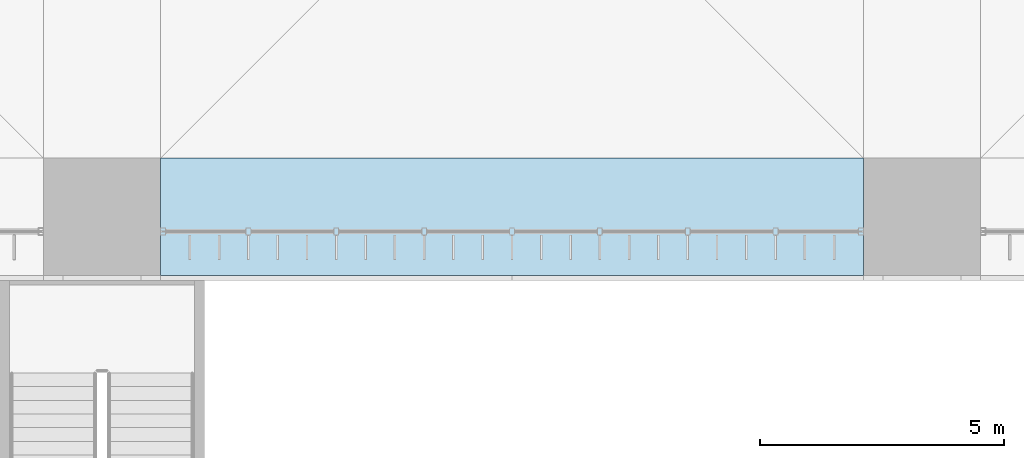
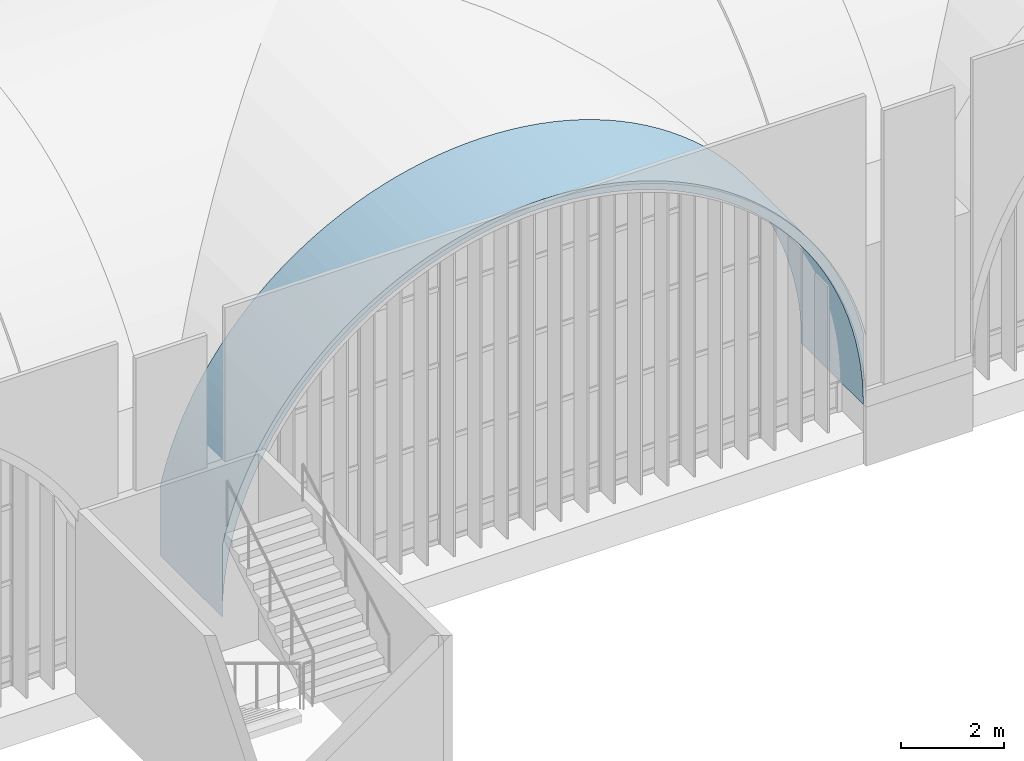
# One storey, part 112 of 169: 1 roof.
"""IFC4 building model written with IfcOpenShell, lengths in metres."""

from ifc_helpers import new_model, si_unit, direction, frame, origin, place, context, subcontext, project, spatial, polygons, material, layer, layer_set, type_object, element, save


model = new_model("IFC4")

# Units and contexts
model_context = context("Model", 3, precision=1e-05, world=origin(), true_north=direction((0.0, 1.0)))
body_context = subcontext(model_context, "Body", "Model", "MODEL_VIEW")
ifc_project = project(units=[si_unit("LENGTHUNIT", "METRE"), si_unit("AREAUNIT", "SQUARE_METRE"), si_unit("VOLUMEUNIT", "CUBIC_METRE"), si_unit("PLANEANGLEUNIT", "RADIAN"), si_unit("MASSUNIT", "GRAM", prefix="KILO")], contexts=[model_context])

# Site, building, storey
site_placement = place(None, origin())
site = spatial("IfcSite", under=ifc_project, at=site_placement, CompositionType="ELEMENT")
building_placement = place(site_placement, origin())
building = spatial("IfcBuilding", under=site, at=building_placement, Name="Verrick Yard Athletic Hall", CompositionType="ELEMENT")
storey_placement = place(building_placement, frame((0.0, 0.0, 4.39990234375)))
storey = spatial("IfcBuildingStorey", under=building, at=storey_placement, Name="L01", CompositionType="ELEMENT", Elevation=4.39990234375)

# Roof
ifc_material = material(Name="Concrete 35 MPa", Category="concrete")
ifc_layer = layer(ifc_material, 0.199951171875)
ifc_layer_set = layer_set([ifc_layer], Name="Arch rib 200")
roof_type = type_object("IfcRoofType", Name="Arch rib 200", PredefinedType="BARREL_ROOF", material=ifc_layer_set)
roof_placement = place(storey_placement, origin())
element("IfcRoof", 1, at=roof_placement, inside=storey, type_object=roof_type, Name="Vault rib S2", PredefinedType="BARREL_ROOF", context=body_context, shape_type="Tessellation", body=[
    polygons([(58.0, 18.0, 2.352294921875), (58.0, 18.0, 0.650146484375), (58.0068359375, 18.0, 0.964111328125), (58.02734375, 18.0, 1.277587890625), (58.0615234375, 18.0, 1.58984375), (58.109375, 18.0, 1.900390625), (58.170654296875, 18.0, 2.20849609375), (58.245361328125, 18.0, 2.513671875), (58.333251953125, 18.0, 2.815185546875), (58.43408203125, 18.0, 3.112548828125), (58.548095703125, 18.0, 3.405517578125), (58.674560546875, 18.0, 3.693115234375), (58.8134765625, 18.0, 3.974609375), (58.964599609375, 18.0, 4.25), (59.127685546875, 18.0, 4.518798828125), (59.302001953125, 18.0, 4.77978515625), (59.48779296875, 18.0, 5.033203125), (59.6845703125, 18.0, 5.278076171875), (59.8916015625, 18.0, 5.514404296875), (60.10888671875, 18.0, 5.7412109375), (60.335693359375, 18.0, 5.95849609375), (60.572021484375, 18.0, 6.16552734375), (60.81689453125, 18.0, 6.3623046875), (61.0703125, 18.0, 6.548095703125), (61.331298828125, 18.0, 6.722412109375), (61.60009765625, 18.0, 6.885498046875), (61.87548828125, 18.0, 7.03662109375), (62.156982421875, 18.0, 7.175537109375), (62.444580078125, 18.0, 7.302001953125), (62.737548828125, 18.0, 7.416015625), (63.034912109375, 18.0, 7.516845703125), (63.33642578125, 18.0, 7.604736328125), (63.6416015625, 18.0, 7.679443359375), (63.94970703125, 18.0, 7.74072265625), (64.26025390625, 18.0, 7.78857421875), (64.572509765625, 18.0, 7.82275390625), (64.885986328125, 18.0, 7.84326171875), (65.199951171875, 18.0, 7.85009765625), (65.51416015625, 18.0, 7.84326171875), (65.827392578125, 18.0, 7.82275390625), (66.139892578125, 18.0, 7.78857421875), (66.4501953125, 18.0, 7.74072265625), (66.75830078125, 18.0, 7.679443359375), (67.0634765625, 18.0, 7.604736328125), (67.364990234375, 18.0, 7.516845703125), (67.66259765625, 18.0, 7.416015625), (67.955322265625, 18.0, 7.302001953125), (68.242919921875, 18.0, 7.175537109375), (68.524658203125, 18.0, 7.03662109375), (68.800048828125, 18.0, 6.885498046875), (69.068603515625, 18.0, 6.722412109375), (69.329833984375, 18.0, 6.548095703125), (69.5830078125, 18.0, 6.3623046875), (69.828125, 18.0, 6.16552734375), (70.064208984375, 18.0, 5.95849609375), (70.291259765625, 18.0, 5.7412109375), (70.50830078125, 18.0, 5.514404296875), (70.715576171875, 18.0, 5.278076171875), (70.912109375, 18.0, 5.033203125), (71.097900390625, 18.0, 4.77978515625), (71.2724609375, 18.0, 4.518798828125), (71.435302734375, 18.0, 4.25), (71.58642578125, 18.0, 3.974609375), (71.725341796875, 18.0, 3.693115234375), (71.851806640625, 18.0, 3.405517578125), (71.9658203125, 18.0, 3.112548828125), (72.06689453125, 18.0, 2.815185546875), (72.15478515625, 18.0, 2.513671875), (72.229248046875, 18.0, 2.20849609375), (72.29052734375, 18.0, 1.900390625), (72.33837890625, 18.0, 1.58984375), (72.37255859375, 18.0, 1.277587890625), (72.39306640625, 18.0, 0.964111328125), (72.39990234375, 18.0, 0.650146484375), (72.39990234375, 18.0, 2.352294921875), (72.347900390625, 18.0, 2.5654296875), (72.257568359375, 18.0, 2.875244140625), (72.15380859375, 18.0, 3.180908203125), (72.03662109375, 18.0, 3.48193359375), (71.90673828125, 18.0, 3.777587890625), (71.763916015625, 18.0, 4.06689453125), (71.608642578125, 18.0, 4.35009765625), (71.441162109375, 18.0, 4.6259765625), (71.26171875, 18.0, 4.89453125), (71.07080078125, 18.0, 5.15478515625), (70.86865234375, 18.0, 5.40673828125), (70.656005859375, 18.0, 5.6494140625), (70.4326171875, 18.0, 5.8828125), (70.199462890625, 18.0, 6.10595703125), (69.95654296875, 18.0, 6.31884765625), (69.704833984375, 18.0, 6.52099609375), (69.444580078125, 18.0, 6.7119140625), (69.176025390625, 18.0, 6.89111328125), (68.89990234375, 18.0, 7.05859375), (68.616943359375, 18.0, 7.214111328125), (68.327392578125, 18.0, 7.356689453125), (68.031982421875, 18.0, 7.48681640625), (67.73095703125, 18.0, 7.603759765625), (67.42529296875, 18.0, 7.70751953125), (67.115234375, 18.0, 7.798095703125), (66.8017578125, 18.0, 7.874755859375), (66.485107421875, 18.0, 7.937744140625), (66.166015625, 18.0, 7.98681640625), (65.844970703125, 18.0, 8.02197265625), (65.522705078125, 18.0, 8.043212890625), (65.199951171875, 18.0, 8.050048828125), (64.877197265625, 18.0, 8.043212890625), (64.554931640625, 18.0, 8.02197265625), (64.234130859375, 18.0, 7.98681640625), (63.9150390625, 18.0, 7.937744140625), (63.598388671875, 18.0, 7.874755859375), (63.28466796875, 18.0, 7.798095703125), (62.974853515625, 18.0, 7.70751953125), (62.669189453125, 18.0, 7.603759765625), (62.3681640625, 18.0, 7.48681640625), (62.072509765625, 18.0, 7.356689453125), (61.783203125, 18.0, 7.214111328125), (61.5, 18.0, 7.05859375), (61.22412109375, 18.0, 6.89111328125), (60.95556640625, 18.0, 6.7119140625), (60.6953125, 18.0, 6.52099609375), (60.443359375, 18.0, 6.31884765625), (60.20068359375, 18.0, 6.10595703125), (59.96728515625, 18.0, 5.8828125), (59.744140625, 18.0, 5.6494140625), (59.53125, 18.0, 5.40673828125), (59.3291015625, 18.0, 5.15478515625), (59.13818359375, 18.0, 4.89453125), (58.958984375, 18.0, 4.6259765625), (58.79150390625, 18.0, 4.35009765625), (58.635986328125, 18.0, 4.06689453125), (58.493408203125, 18.0, 3.777587890625), (58.36328125, 18.0, 3.48193359375), (58.246337890625, 18.0, 3.180908203125), (58.142578125, 18.0, 2.875244140625), (58.052001953125, 18.0, 2.5654296875), (58.0, 20.39990234375, 2.352294921875), (58.0, 20.39990234375, 0.650146484375), (58.0068359375, 20.39990234375, 0.964111328125), (58.02734375, 20.39990234375, 1.277587890625), (58.0615234375, 20.39990234375, 1.58984375), (58.109375, 20.39990234375, 1.900390625), (58.170654296875, 20.39990234375, 2.20849609375), (58.245361328125, 20.39990234375, 2.513671875), (58.333251953125, 20.39990234375, 2.815185546875), (58.43408203125, 20.39990234375, 3.112548828125), (58.548095703125, 20.39990234375, 3.405517578125), (58.674560546875, 20.39990234375, 3.693115234375), (58.8134765625, 20.39990234375, 3.974609375), (58.964599609375, 20.39990234375, 4.25), (59.127685546875, 20.39990234375, 4.518798828125), (59.302001953125, 20.39990234375, 4.77978515625), (59.48779296875, 20.39990234375, 5.033203125), (59.6845703125, 20.39990234375, 5.278076171875), (59.8916015625, 20.39990234375, 5.514404296875), (60.10888671875, 20.39990234375, 5.7412109375), (60.335693359375, 20.39990234375, 5.95849609375), (60.572021484375, 20.39990234375, 6.16552734375), (60.81689453125, 20.39990234375, 6.3623046875), (61.0703125, 20.39990234375, 6.548095703125), (61.331298828125, 20.39990234375, 6.722412109375), (61.60009765625, 20.39990234375, 6.885498046875), (61.87548828125, 20.39990234375, 7.03662109375), (62.156982421875, 20.39990234375, 7.175537109375), (62.444580078125, 20.39990234375, 7.302001953125), (62.737548828125, 20.39990234375, 7.416015625), (63.034912109375, 20.39990234375, 7.516845703125), (63.33642578125, 20.39990234375, 7.604736328125), (63.6416015625, 20.39990234375, 7.679443359375), (63.94970703125, 20.39990234375, 7.74072265625), (64.26025390625, 20.39990234375, 7.78857421875), (64.572509765625, 20.39990234375, 7.82275390625), (64.885986328125, 20.39990234375, 7.84326171875), (65.199951171875, 20.39990234375, 7.85009765625), (65.51416015625, 20.39990234375, 7.84326171875), (65.827392578125, 20.39990234375, 7.82275390625), (66.139892578125, 20.39990234375, 7.78857421875), (66.4501953125, 20.39990234375, 7.74072265625), (66.75830078125, 20.39990234375, 7.679443359375), (67.0634765625, 20.39990234375, 7.604736328125), (67.364990234375, 20.39990234375, 7.516845703125), (67.66259765625, 20.39990234375, 7.416015625), (67.955322265625, 20.39990234375, 7.302001953125), (68.242919921875, 20.39990234375, 7.175537109375), (68.524658203125, 20.39990234375, 7.03662109375), (68.800048828125, 20.39990234375, 6.885498046875), (69.068603515625, 20.39990234375, 6.722412109375), (69.329833984375, 20.39990234375, 6.548095703125), (69.5830078125, 20.39990234375, 6.3623046875), (69.828125, 20.39990234375, 6.16552734375), (70.064208984375, 20.39990234375, 5.95849609375), (70.291259765625, 20.39990234375, 5.7412109375), (70.50830078125, 20.39990234375, 5.514404296875), (70.715576171875, 20.39990234375, 5.278076171875), (70.912109375, 20.39990234375, 5.033203125), (71.097900390625, 20.39990234375, 4.77978515625), (71.2724609375, 20.39990234375, 4.518798828125), (71.435302734375, 20.39990234375, 4.25), (71.58642578125, 20.39990234375, 3.974609375), (71.725341796875, 20.39990234375, 3.693115234375), (71.851806640625, 20.39990234375, 3.405517578125), (71.9658203125, 20.39990234375, 3.112548828125), (72.06689453125, 20.39990234375, 2.815185546875), (72.15478515625, 20.39990234375, 2.513671875), (72.229248046875, 20.39990234375, 2.20849609375), (72.29052734375, 20.39990234375, 1.900390625), (72.33837890625, 20.39990234375, 1.58984375), (72.37255859375, 20.39990234375, 1.277587890625), (72.39306640625, 20.39990234375, 0.964111328125), (72.39990234375, 20.39990234375, 0.650146484375), (72.39990234375, 20.39990234375, 2.352294921875), (72.347900390625, 20.39990234375, 2.5654296875), (72.257568359375, 20.39990234375, 2.875244140625), (72.15380859375, 20.39990234375, 3.180908203125), (72.03662109375, 20.39990234375, 3.48193359375), (71.90673828125, 20.39990234375, 3.777587890625), (71.763916015625, 20.39990234375, 4.06689453125), (71.608642578125, 20.39990234375, 4.35009765625), (71.441162109375, 20.39990234375, 4.6259765625), (71.26171875, 20.39990234375, 4.89453125), (71.07080078125, 20.39990234375, 5.15478515625), (70.86865234375, 20.39990234375, 5.40673828125), (70.656005859375, 20.39990234375, 5.6494140625), (70.4326171875, 20.39990234375, 5.8828125), (70.199462890625, 20.39990234375, 6.10595703125), (69.95654296875, 20.39990234375, 6.31884765625), (69.704833984375, 20.39990234375, 6.52099609375), (69.444580078125, 20.39990234375, 6.7119140625), (69.176025390625, 20.39990234375, 6.89111328125), (68.89990234375, 20.39990234375, 7.05859375), (68.616943359375, 20.39990234375, 7.214111328125), (68.327392578125, 20.39990234375, 7.356689453125), (68.031982421875, 20.39990234375, 7.48681640625), (67.73095703125, 20.39990234375, 7.603759765625), (67.42529296875, 20.39990234375, 7.70751953125), (67.115234375, 20.39990234375, 7.798095703125), (66.8017578125, 20.39990234375, 7.874755859375), (66.485107421875, 20.39990234375, 7.937744140625), (66.166015625, 20.39990234375, 7.98681640625), (65.844970703125, 20.39990234375, 8.02197265625), (65.522705078125, 20.39990234375, 8.043212890625), (65.199951171875, 20.39990234375, 8.050048828125), (64.877197265625, 20.39990234375, 8.043212890625), (64.554931640625, 20.39990234375, 8.02197265625), (64.234130859375, 20.39990234375, 7.98681640625), (63.9150390625, 20.39990234375, 7.937744140625), (63.598388671875, 20.39990234375, 7.874755859375), (63.28466796875, 20.39990234375, 7.798095703125), (62.974853515625, 20.39990234375, 7.70751953125), (62.669189453125, 20.39990234375, 7.603759765625), (62.3681640625, 20.39990234375, 7.48681640625), (62.072509765625, 20.39990234375, 7.356689453125), (61.783203125, 20.39990234375, 7.214111328125), (61.5, 20.39990234375, 7.05859375), (61.22412109375, 20.39990234375, 6.89111328125), (60.95556640625, 20.39990234375, 6.7119140625), (60.6953125, 20.39990234375, 6.52099609375), (60.443359375, 20.39990234375, 6.31884765625), (60.20068359375, 20.39990234375, 6.10595703125), (59.96728515625, 20.39990234375, 5.8828125), (59.744140625, 20.39990234375, 5.6494140625), (59.53125, 20.39990234375, 5.40673828125), (59.3291015625, 20.39990234375, 5.15478515625), (59.13818359375, 20.39990234375, 4.89453125), (58.958984375, 20.39990234375, 4.6259765625), (58.79150390625, 20.39990234375, 4.35009765625), (58.635986328125, 20.39990234375, 4.06689453125), (58.493408203125, 20.39990234375, 3.777587890625), (58.36328125, 20.39990234375, 3.48193359375), (58.246337890625, 20.39990234375, 3.180908203125), (58.142578125, 20.39990234375, 2.875244140625), (58.052001953125, 20.39990234375, 2.5654296875)], [[[1, 2, 3]], [[137, 139, 138]], [[136, 1, 3]], [[272, 139, 137]], [[136, 3, 4]], [[272, 140, 139]], [[136, 4, 5]], [[272, 141, 140]], [[136, 5, 6]], [[272, 142, 141]], [[136, 6, 7]], [[272, 143, 142]], [[136, 7, 8]], [[272, 144, 143]], [[136, 8, 9]], [[272, 145, 144]], [[136, 9, 10]], [[272, 146, 145]], [[136, 10, 11]], [[272, 147, 146]], [[136, 11, 12]], [[272, 148, 147]], [[136, 12, 13]], [[272, 149, 148]], [[73, 74, 75]], [[209, 211, 210]], [[72, 73, 75]], [[208, 211, 209]], [[71, 72, 75]], [[207, 211, 208]], [[70, 71, 75]], [[206, 211, 207]], [[69, 70, 75]], [[205, 211, 206]], [[68, 69, 75]], [[204, 211, 205]], [[67, 68, 75]], [[203, 211, 204]], [[66, 67, 75]], [[202, 211, 203]], [[65, 66, 75]], [[201, 211, 202]], [[64, 65, 75]], [[200, 211, 201]], [[63, 64, 75]], [[199, 211, 200]], [[63, 75, 76]], [[199, 212, 211]], [[63, 76, 77]], [[199, 213, 212]], [[62, 63, 77]], [[198, 213, 199]], [[62, 77, 78]], [[198, 214, 213]], [[61, 62, 78]], [[197, 214, 198]], [[61, 78, 79]], [[197, 215, 214]], [[60, 61, 79]], [[196, 215, 197]], [[60, 79, 80]], [[196, 216, 215]], [[59, 60, 80]], [[195, 216, 196]], [[59, 80, 81]], [[195, 217, 216]], [[58, 59, 81]], [[194, 217, 195]], [[58, 81, 82]], [[194, 218, 217]], [[57, 58, 82]], [[193, 218, 194]], [[57, 82, 83]], [[193, 219, 218]], [[56, 57, 83]], [[192, 219, 193]], [[56, 83, 84]], [[192, 220, 219]], [[55, 56, 84]], [[191, 220, 192]], [[55, 84, 85]], [[191, 221, 220]], [[54, 55, 85]], [[190, 221, 191]], [[54, 85, 86]], [[190, 222, 221]], [[53, 54, 86]], [[189, 222, 190]], [[53, 86, 87]], [[189, 223, 222]], [[52, 53, 87]], [[188, 223, 189]], [[52, 87, 88]], [[188, 224, 223]], [[51, 52, 88]], [[187, 224, 188]], [[51, 88, 89]], [[187, 225, 224]], [[50, 51, 89]], [[186, 225, 187]], [[50, 89, 90]], [[186, 226, 225]], [[49, 50, 90]], [[185, 226, 186]], [[49, 90, 91]], [[185, 227, 226]], [[48, 49, 91]], [[184, 227, 185]], [[48, 91, 92]], [[184, 228, 227]], [[47, 48, 92]], [[183, 228, 184]], [[47, 92, 93]], [[183, 229, 228]], [[46, 47, 93]], [[182, 229, 183]], [[46, 93, 94]], [[182, 230, 229]], [[45, 46, 94]], [[181, 230, 182]], [[45, 94, 95]], [[181, 231, 230]], [[44, 45, 95]], [[180, 231, 181]], [[44, 95, 96]], [[180, 232, 231]], [[43, 44, 96]], [[179, 232, 180]], [[43, 96, 97]], [[179, 233, 232]], [[42, 43, 97]], [[178, 233, 179]], [[42, 97, 98]], [[178, 234, 233]], [[41, 42, 98]], [[177, 234, 178]], [[41, 98, 99]], [[177, 235, 234]], [[40, 41, 99]], [[176, 235, 177]], [[40, 99, 100]], [[176, 236, 235]], [[39, 40, 100]], [[175, 236, 176]], [[39, 100, 101]], [[175, 237, 236]], [[38, 39, 101]], [[174, 237, 175]], [[38, 101, 102]], [[174, 238, 237]], [[37, 38, 102]], [[173, 238, 174]], [[37, 102, 103]], [[173, 239, 238]], [[36, 37, 103]], [[172, 239, 173]], [[36, 103, 104]], [[172, 240, 239]], [[35, 36, 104]], [[171, 240, 172]], [[35, 104, 105]], [[171, 241, 240]], [[34, 35, 105]], [[170, 241, 171]], [[34, 105, 106]], [[170, 242, 241]], [[33, 34, 106]], [[169, 242, 170]], [[33, 106, 107]], [[169, 243, 242]], [[32, 33, 107]], [[168, 243, 169]], [[32, 107, 108]], [[168, 244, 243]], [[31, 32, 108]], [[167, 244, 168]], [[31, 108, 109]], [[167, 245, 244]], [[30, 31, 109]], [[166, 245, 167]], [[30, 109, 110]], [[166, 246, 245]], [[29, 30, 110]], [[165, 246, 166]], [[29, 110, 111]], [[165, 247, 246]], [[28, 29, 111]], [[164, 247, 165]], [[28, 111, 112]], [[164, 248, 247]], [[27, 28, 112]], [[163, 248, 164]], [[27, 112, 113]], [[163, 249, 248]], [[26, 27, 113]], [[162, 249, 163]], [[26, 113, 114]], [[162, 250, 249]], [[25, 26, 114]], [[161, 250, 162]], [[25, 114, 115]], [[161, 251, 250]], [[24, 25, 115]], [[160, 251, 161]], [[24, 115, 116]], [[160, 252, 251]], [[23, 24, 116]], [[159, 252, 160]], [[23, 116, 117]], [[159, 253, 252]], [[22, 23, 117]], [[158, 253, 159]], [[22, 117, 118]], [[158, 254, 253]], [[21, 22, 118]], [[157, 254, 158]], [[21, 118, 119]], [[157, 255, 254]], [[20, 21, 119]], [[156, 255, 157]], [[20, 119, 120]], [[156, 256, 255]], [[19, 20, 120]], [[155, 256, 156]], [[19, 120, 121]], [[155, 257, 256]], [[18, 19, 121]], [[154, 257, 155]], [[18, 121, 122]], [[154, 258, 257]], [[17, 18, 122]], [[153, 258, 154]], [[17, 122, 123]], [[153, 259, 258]], [[16, 17, 123]], [[152, 259, 153]], [[16, 123, 124]], [[152, 260, 259]], [[15, 16, 124]], [[151, 260, 152]], [[15, 124, 125]], [[151, 261, 260]], [[14, 15, 125]], [[150, 261, 151]], [[14, 125, 126]], [[150, 262, 261]], [[13, 14, 126]], [[149, 262, 150]], [[136, 13, 126]], [[272, 262, 149]], [[136, 126, 127]], [[272, 263, 262]], [[136, 127, 128]], [[272, 264, 263]], [[136, 128, 129]], [[272, 265, 264]], [[136, 129, 130]], [[272, 266, 265]], [[136, 130, 131]], [[272, 267, 266]], [[136, 131, 132]], [[272, 268, 267]], [[136, 132, 133]], [[272, 269, 268]], [[136, 133, 134]], [[272, 270, 269]], [[134, 135, 136]], [[270, 272, 271]], [[1, 138, 2]], [[1, 137, 138]], [[2, 139, 3]], [[2, 138, 139]], [[3, 140, 4]], [[3, 139, 140]], [[4, 141, 5]], [[4, 140, 141]], [[5, 142, 6]], [[5, 141, 142]], [[6, 143, 7]], [[6, 142, 143]], [[7, 144, 8]], [[7, 143, 144]], [[8, 145, 9]], [[8, 144, 145]], [[9, 146, 10]], [[9, 145, 146]], [[10, 147, 11]], [[10, 146, 147]], [[11, 148, 12]], [[11, 147, 148]], [[12, 149, 13]], [[12, 148, 149]], [[13, 150, 14]], [[13, 149, 150]], [[14, 151, 15]], [[14, 150, 151]], [[15, 152, 16]], [[15, 151, 152]], [[16, 153, 17]], [[16, 152, 153]], [[17, 154, 18]], [[17, 153, 154]], [[18, 155, 19]], [[18, 154, 155]], [[19, 156, 20]], [[19, 155, 156]], [[20, 157, 21]], [[20, 156, 157]], [[21, 158, 22]], [[21, 157, 158]], [[22, 159, 23]], [[22, 158, 159]], [[23, 160, 24]], [[23, 159, 160]], [[24, 161, 25]], [[24, 160, 161]], [[25, 162, 26]], [[25, 161, 162]], [[26, 163, 27]], [[26, 162, 163]], [[27, 164, 28]], [[27, 163, 164]], [[28, 165, 29]], [[28, 164, 165]], [[29, 166, 30]], [[29, 165, 166]], [[30, 167, 31]], [[30, 166, 167]], [[31, 168, 32]], [[31, 167, 168]], [[32, 169, 33]], [[32, 168, 169]], [[33, 170, 34]], [[33, 169, 170]], [[34, 171, 35]], [[34, 170, 171]], [[35, 172, 36]], [[35, 171, 172]], [[36, 173, 37]], [[36, 172, 173]], [[37, 174, 38]], [[37, 173, 174]], [[38, 175, 39]], [[38, 174, 175]], [[39, 176, 40]], [[39, 175, 176]], [[40, 177, 41]], [[40, 176, 177]], [[41, 178, 42]], [[41, 177, 178]], [[42, 179, 43]], [[42, 178, 179]], [[43, 180, 44]], [[43, 179, 180]], [[44, 181, 45]], [[44, 180, 181]], [[45, 182, 46]], [[45, 181, 182]], [[46, 183, 47]], [[46, 182, 183]], [[47, 184, 48]], [[47, 183, 184]], [[48, 185, 49]], [[48, 184, 185]], [[49, 186, 50]], [[49, 185, 186]], [[50, 187, 51]], [[50, 186, 187]], [[51, 188, 52]], [[51, 187, 188]], [[52, 189, 53]], [[52, 188, 189]], [[53, 190, 54]], [[53, 189, 190]], [[54, 191, 55]], [[54, 190, 191]], [[55, 192, 56]], [[55, 191, 192]], [[56, 193, 57]], [[56, 192, 193]], [[57, 194, 58]], [[57, 193, 194]], [[58, 195, 59]], [[58, 194, 195]], [[59, 196, 60]], [[59, 195, 196]], [[60, 197, 61]], [[60, 196, 197]], [[61, 198, 62]], [[61, 197, 198]], [[62, 199, 63]], [[62, 198, 199]], [[63, 200, 64]], [[63, 199, 200]], [[64, 201, 65]], [[64, 200, 201]], [[65, 202, 66]], [[65, 201, 202]], [[66, 203, 67]], [[66, 202, 203]], [[67, 204, 68]], [[67, 203, 204]], [[68, 205, 69]], [[68, 204, 205]], [[69, 206, 70]], [[69, 205, 206]], [[70, 207, 71]], [[70, 206, 207]], [[71, 208, 72]], [[71, 207, 208]], [[72, 209, 73]], [[72, 208, 209]], [[73, 210, 74]], [[73, 209, 210]], [[74, 211, 75]], [[74, 210, 211]], [[75, 212, 76]], [[75, 211, 212]], [[76, 213, 77]], [[76, 212, 213]], [[77, 214, 78]], [[77, 213, 214]], [[78, 215, 79]], [[78, 214, 215]], [[79, 216, 80]], [[79, 215, 216]], [[80, 217, 81]], [[80, 216, 217]], [[81, 218, 82]], [[81, 217, 218]], [[82, 219, 83]], [[82, 218, 219]], [[83, 220, 84]], [[83, 219, 220]], [[84, 221, 85]], [[84, 220, 221]], [[85, 222, 86]], [[85, 221, 222]], [[86, 223, 87]], [[86, 222, 223]], [[87, 224, 88]], [[87, 223, 224]], [[88, 225, 89]], [[88, 224, 225]], [[89, 226, 90]], [[89, 225, 226]], [[90, 227, 91]], [[90, 226, 227]], [[91, 228, 92]], [[91, 227, 228]], [[92, 229, 93]], [[92, 228, 229]], [[93, 230, 94]], [[93, 229, 230]], [[94, 231, 95]], [[94, 230, 231]], [[95, 232, 96]], [[95, 231, 232]], [[96, 233, 97]], [[96, 232, 233]], [[97, 234, 98]], [[97, 233, 234]], [[98, 235, 99]], [[98, 234, 235]], [[99, 236, 100]], [[99, 235, 236]], [[100, 237, 101]], [[100, 236, 237]], [[101, 238, 102]], [[101, 237, 238]], [[102, 239, 103]], [[102, 238, 239]], [[103, 240, 104]], [[103, 239, 240]], [[104, 241, 105]], [[104, 240, 241]], [[105, 242, 106]], [[105, 241, 242]], [[106, 243, 107]], [[106, 242, 243]], [[107, 244, 108]], [[107, 243, 244]], [[108, 245, 109]], [[108, 244, 245]], [[109, 246, 110]], [[109, 245, 246]], [[110, 247, 111]], [[110, 246, 247]], [[111, 248, 112]], [[111, 247, 248]], [[112, 249, 113]], [[112, 248, 249]], [[113, 250, 114]], [[113, 249, 250]], [[114, 251, 115]], [[114, 250, 251]], [[115, 252, 116]], [[115, 251, 252]], [[116, 253, 117]], [[116, 252, 253]], [[117, 254, 118]], [[117, 253, 254]], [[118, 255, 119]], [[118, 254, 255]], [[119, 256, 120]], [[119, 255, 256]], [[120, 257, 121]], [[120, 256, 257]], [[121, 258, 122]], [[121, 257, 258]], [[122, 259, 123]], [[122, 258, 259]], [[123, 260, 124]], [[123, 259, 260]], [[124, 261, 125]], [[124, 260, 261]], [[125, 262, 126]], [[125, 261, 262]], [[126, 263, 127]], [[126, 262, 263]], [[127, 264, 128]], [[127, 263, 264]], [[128, 265, 129]], [[128, 264, 265]], [[129, 266, 130]], [[129, 265, 266]], [[130, 267, 131]], [[130, 266, 267]], [[131, 268, 132]], [[131, 267, 268]], [[132, 269, 133]], [[132, 268, 269]], [[133, 270, 134]], [[133, 269, 270]], [[134, 271, 135]], [[134, 270, 271]], [[135, 272, 136]], [[135, 271, 272]], [[136, 137, 1]], [[136, 272, 137]]], closed=True),
])

save(model, "model.ifc")
